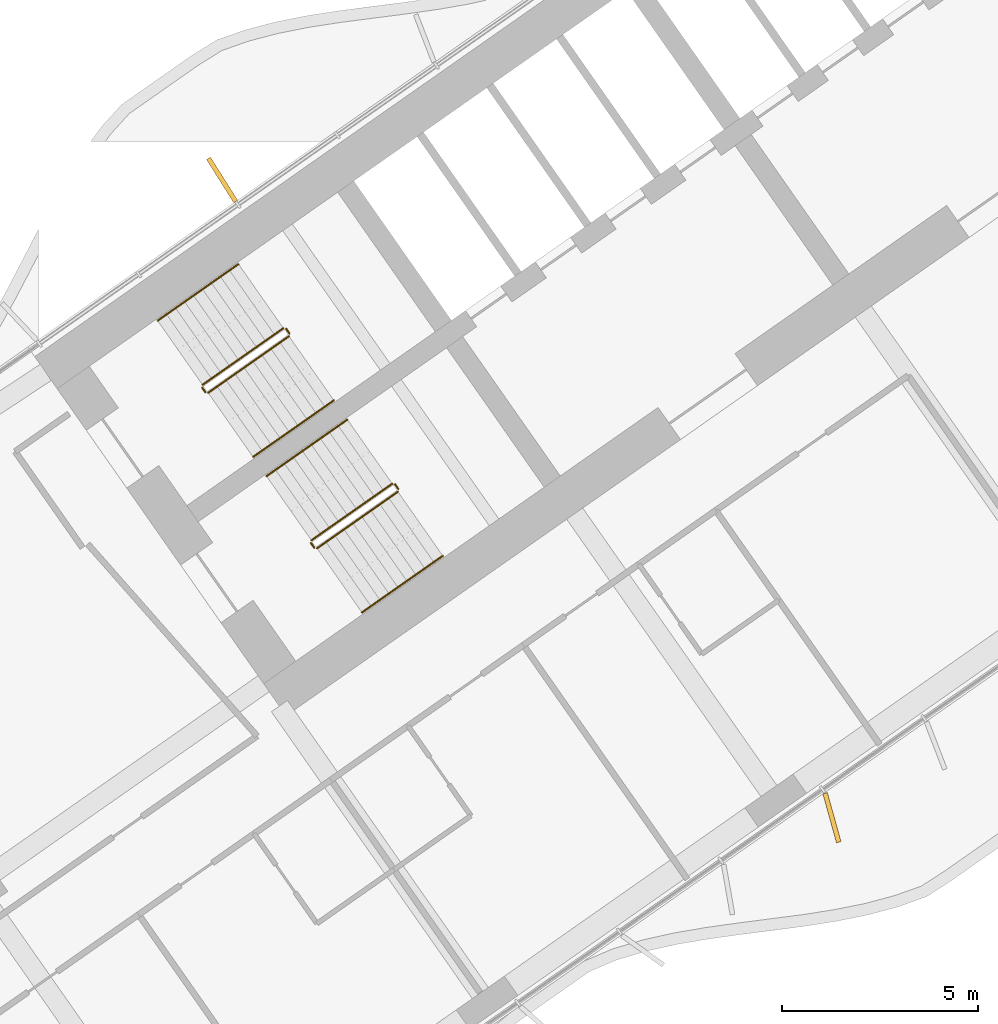
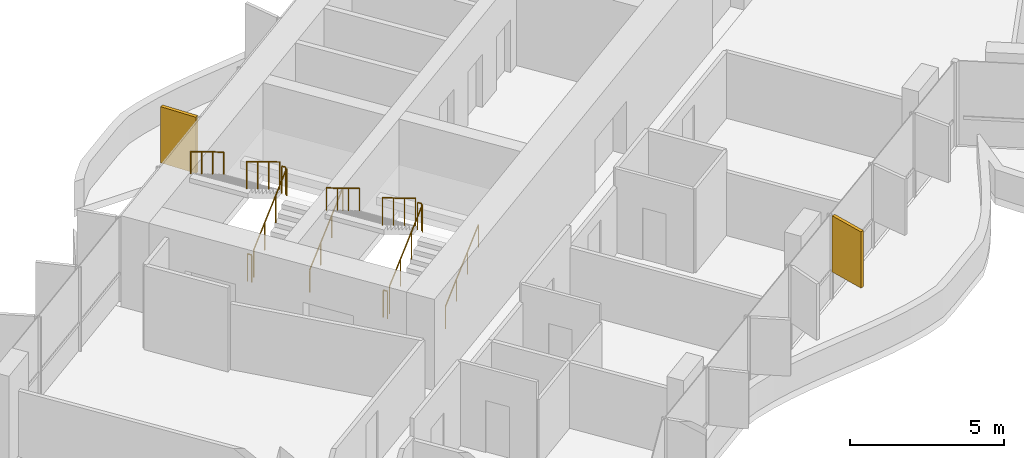
# One storey, part 19 of 23: 12 railings, 2 shading devices.
"""IFC4 building model written with IfcOpenShell, lengths in metres."""

from ifc_helpers import new_model, si_unit, direction, frame, origin, origin_2d, place, context, subcontext, project, spatial, rectangle, circle, extrude, material, layer, layer_set, type_object, element, save


model = new_model("IFC4")

# Units and contexts
model_context = context("Model", 3, precision=1e-05, world=origin(), true_north=direction((0.0, 1.0)))
body_context = subcontext(model_context, "Body", "Model", "MODEL_VIEW")
ifc_project = project(units=[si_unit("LENGTHUNIT", "METRE"), si_unit("AREAUNIT", "SQUARE_METRE"), si_unit("VOLUMEUNIT", "CUBIC_METRE"), si_unit("PLANEANGLEUNIT", "RADIAN"), si_unit("MASSUNIT", "GRAM", prefix="KILO")], contexts=[model_context])

# Site, building, storey
site_placement = place(None, origin())
site = spatial("IfcSite", under=ifc_project, at=site_placement, CompositionType="ELEMENT")
building_placement = place(site_placement, origin())
building = spatial("IfcBuilding", under=site, at=building_placement, Name="Tel Ilan Convention Tower", CompositionType="ELEMENT")
storey_placement = place(building_placement, frame((0.0, 0.0, 112.10009765625)))
storey = spatial("IfcBuildingStorey", under=building, at=storey_placement, Name="L24", CompositionType="ELEMENT", Elevation=112.10009765625)

# Shading devices
ifc_material_1 = material(Name="Aluminium, bronze anodised", Category="aluminium")
ifc_layer = layer(ifc_material_1, 0.1201171875)
ifc_layer_set = layer_set([ifc_layer], Name="FIN BRONZE 1300x120")
shading_device_type = type_object("IfcShadingDeviceType", Name="FIN BRONZE 1300x120", PredefinedType="USERDEFINED", material=ifc_layer_set)
for number, where, z_axis, x_axis, name in (
    (1, (-23.18017578125, -2.617431640625, 1.10009765625), (0.0, 0.0, 1.0), (-0.533204432798, 0.845986425922, 0.0), "FIN"),
    (2, (-7.599609375, -18.91162109375, 1.10009765625), (0.0, 0.0, 1.0), (0.268172612768, -0.963370878614, 0.0), "FIN"),
):
    element("IfcShadingDevice", number, at=place(storey_placement, frame(where, z_axis=z_axis, x_axis=x_axis)), inside=storey, type_object=shading_device_type, Name=name, ObjectType="FIN", PredefinedType="USERDEFINED", context=body_context, shape_type="SweptSolid", body=[
        extrude(rectangle(XDim=1.300048828125, YDim=0.1201171875, at=origin_2d()), origin(), (0.0, 0.0, 1.0), 2.219970703125),
    ])

# Railings
ifc_material_2 = material(Name="Stainless Steel Grade 316", Category="steel")
railing_type_1 = type_object("IfcRailingType", Name="Stainless Steel Stair Guard 1100 mm", PredefinedType="GUARDRAIL", material=ifc_material_2)
railing_1_placement = place(storey_placement, frame((-23.535400390625, -8.056396484375, 0.179931640625)))
element("IfcRailing", 3, at=railing_1_placement, inside=storey, type_object=railing_type_1, Name="L24 S1 stair guard 1", PredefinedType="GUARDRAIL", context=body_context, shape_type="SweptSolid", body=[
    extrude(circle(Radius=0.02392578125, at=origin_2d()), frame((0.0, 0.0, 1.076171875), z_axis=(0.689043377453, 0.48253410265, 0.540721798865), x_axis=(-0.573624882958, 0.819118119475, 0.0)), (0.0, 0.0, 1.0), 2.995849609375),
    extrude(circle(Radius=0.02099609375, at=origin_2d()), origin(), (0.0, 0.0, 1.0), 1.052001953125),
    extrude(circle(Radius=0.02099609375, at=origin_2d()), frame((0.68798828125, 0.48193359375, 0.5400390625)), (0.0, 0.0, 1.0), 1.052001953125),
    extrude(circle(Radius=0.02099609375, at=origin_2d()), frame((1.376220703125, 0.963623046875, 1.079833984375)), (0.0, 0.0, 1.0), 1.052001953125),
    extrude(circle(Radius=0.02099609375, at=origin_2d()), frame((2.064208984375, 1.445556640625, 1.619873046875)), (0.0, 0.0, 1.0), 1.052001953125),
])
railing_2_placement = place(storey_placement, frame((-21.458984375, -6.541259765625, 1.7998046875)))
element("IfcRailing", 4, at=railing_2_placement, inside=storey, type_object=railing_type_1, Name="L24 S1 stair guard 2", PredefinedType="GUARDRAIL", context=body_context, shape_type="SweptSolid", body=[
    extrude(circle(Radius=0.02392578125, at=origin_2d()), frame((0.0, 0.0, 1.076171875), z_axis=(-0.573353020881, 0.819308436089, 0.0), x_axis=(-0.819308436089, -0.573353020881, 0.0)), (0.0, 0.0, 1.0), 0.14990234375),
    extrude(circle(Radius=0.02099609375, at=origin_2d()), origin(), (0.0, 0.0, 1.0), 1.052001953125),
    extrude(circle(Radius=0.02099609375, at=origin_2d()), frame((-0.0859375, 0.122802734375, 0.0)), (0.0, 0.0, 1.0), 1.052001953125),
])
railing_3_placement = place(storey_placement, frame((-21.614501953125, -6.406005859375, 1.97998046875)))
element("IfcRailing", 5, at=railing_3_placement, inside=storey, type_object=railing_type_1, Name="L24 S1 stair guard 3", PredefinedType="GUARDRAIL", context=body_context, shape_type="SweptSolid", body=[
    extrude(circle(Radius=0.02392578125, at=origin_2d()), frame((0.0, 0.0, 1.076171875), z_axis=(-0.689043377453, -0.48253410265, 0.540721798865), x_axis=(0.573624882958, -0.819118119475, 0.0)), (0.0, 0.0, 1.0), 2.995849609375),
    extrude(circle(Radius=0.02099609375, at=origin_2d()), origin(), (0.0, 0.0, 1.0), 1.052001953125),
    extrude(circle(Radius=0.02099609375, at=origin_2d()), frame((-0.68798828125, -0.48193359375, 0.5400390625)), (0.0, 0.0, 1.0), 1.052001953125),
    extrude(circle(Radius=0.02099609375, at=origin_2d()), frame((-1.376220703125, -0.963623046875, 1.079833984375)), (0.0, 0.0, 1.0), 1.052001953125),
    extrude(circle(Radius=0.02099609375, at=origin_2d()), frame((-2.064208984375, -1.445556640625, 1.619873046875)), (0.0, 0.0, 1.0), 1.052001953125),
])
railing_4_placement = place(storey_placement, frame((-23.60498046875, -8.0439453125, 0.0)))
element("IfcRailing", 6, at=railing_4_placement, inside=storey, type_object=railing_type_1, Name="L24 S1 stair guard 4", PredefinedType="GUARDRAIL", context=body_context, shape_type="SweptSolid", body=[
    extrude(circle(Radius=0.02392578125, at=origin_2d()), frame((0.0, 0.0, 1.076171875), z_axis=(-0.574444878118, 0.818543268254, 0.0), x_axis=(-0.818543268254, -0.574444878118, 0.0)), (0.0, 0.0, 1.0), 0.150146484375),
    extrude(circle(Radius=0.02099609375, at=origin_2d()), origin(), (0.0, 0.0, 1.0), 1.052001953125),
    extrude(circle(Radius=0.02099609375, at=origin_2d()), frame((-0.086181640625, 0.122802734375, 0.0)), (0.0, 0.0, 1.0), 1.052001953125),
])
railing_5_placement = place(storey_placement, frame((-20.753662109375, -12.029296875, 0.179931640625)))
element("IfcRailing", 7, at=railing_5_placement, inside=storey, type_object=railing_type_1, Name="L24 S2 stair guard 1", PredefinedType="GUARDRAIL", context=body_context, shape_type="SweptSolid", body=[
    extrude(circle(Radius=0.02392578125, at=origin_2d()), frame((0.0, 0.0, 1.076171875), z_axis=(0.689086176785, 0.482507007183, 0.540691436018), x_axis=(-0.573579365141, 0.81914999352, 0.0)), (0.0, 0.0, 1.0), 2.995849609375),
    extrude(circle(Radius=0.02099609375, at=origin_2d()), origin(), (0.0, 0.0, 1.0), 1.052001953125),
    extrude(circle(Radius=0.02099609375, at=origin_2d()), frame((0.688232421875, 0.48193359375, 0.5400390625)), (0.0, 0.0, 1.0), 1.052001953125),
    extrude(circle(Radius=0.02099609375, at=origin_2d()), frame((1.376220703125, 0.963623046875, 1.079833984375)), (0.0, 0.0, 1.0), 1.052001953125),
    extrude(circle(Radius=0.02099609375, at=origin_2d()), frame((2.064453125, 1.445556640625, 1.619873046875)), (0.0, 0.0, 1.0), 1.052001953125),
])
railing_6_placement = place(storey_placement, frame((-18.677001953125, -10.51416015625, 1.7998046875)))
element("IfcRailing", 8, at=railing_6_placement, inside=storey, type_object=railing_type_1, Name="L24 S2 stair guard 2", PredefinedType="GUARDRAIL", context=body_context, shape_type="SweptSolid", body=[
    extrude(circle(Radius=0.02392578125, at=origin_2d()), frame((0.0, 0.0, 1.076171875), z_axis=(-0.573353020881, 0.819308436089, 0.0), x_axis=(-0.819308436089, -0.573353020881, 0.0)), (0.0, 0.0, 1.0), 0.14990234375),
    extrude(circle(Radius=0.02099609375, at=origin_2d()), origin(), (0.0, 0.0, 1.0), 1.052001953125),
    extrude(circle(Radius=0.02099609375, at=origin_2d()), frame((-0.0859375, 0.122802734375, 0.0)), (0.0, 0.0, 1.0), 1.052001953125),
])
railing_7_placement = place(storey_placement, frame((-18.832763671875, -10.37890625, 1.97998046875)))
element("IfcRailing", 9, at=railing_7_placement, inside=storey, type_object=railing_type_1, Name="L24 S2 stair guard 3", PredefinedType="GUARDRAIL", context=body_context, shape_type="SweptSolid", body=[
    extrude(circle(Radius=0.02392578125, at=origin_2d()), frame((0.0, 0.0, 1.076171875), z_axis=(-0.689043377453, -0.48253410265, 0.540721798865), x_axis=(0.573624882958, -0.819118119475, 0.0)), (0.0, 0.0, 1.0), 2.995849609375),
    extrude(circle(Radius=0.02099609375, at=origin_2d()), origin(), (0.0, 0.0, 1.0), 1.052001953125),
    extrude(circle(Radius=0.02099609375, at=origin_2d()), frame((-0.68798828125, -0.48193359375, 0.5400390625)), (0.0, 0.0, 1.0), 1.052001953125),
    extrude(circle(Radius=0.02099609375, at=origin_2d()), frame((-1.376220703125, -0.963623046875, 1.079833984375)), (0.0, 0.0, 1.0), 1.052001953125),
    extrude(circle(Radius=0.02099609375, at=origin_2d()), frame((-2.064208984375, -1.445556640625, 1.619873046875)), (0.0, 0.0, 1.0), 1.052001953125),
])
railing_8_placement = place(storey_placement, frame((-20.8232421875, -12.016845703125, 0.0)))
element("IfcRailing", 10, at=railing_8_placement, inside=storey, type_object=railing_type_1, Name="L24 S2 stair guard 4", PredefinedType="GUARDRAIL", context=body_context, shape_type="SweptSolid", body=[
    extrude(circle(Radius=0.02392578125, at=origin_2d()), frame((0.0, 0.0, 1.076171875), z_axis=(-0.573353020881, 0.819308436089, 0.0), x_axis=(-0.819308436089, -0.573353020881, 0.0)), (0.0, 0.0, 1.0), 0.14990234375),
    extrude(circle(Radius=0.02099609375, at=origin_2d()), origin(), (0.0, 0.0, 1.0), 1.052001953125),
    extrude(circle(Radius=0.02099609375, at=origin_2d()), frame((-0.0859375, 0.122802734375, 0.0)), (0.0, 0.0, 1.0), 1.052001953125),
])
ifc_material_3 = material(Name="Stainless Steel Grade 316", Category="steel")
railing_type_2 = type_object("IfcRailingType", Name="Stainless Steel Stair Handrail 900 mm", PredefinedType="HANDRAIL", material=ifc_material_3)
railing_9_placement = place(storey_placement, frame((-22.38818359375, -9.694580078125, 0.179931640625)))
element("IfcRailing", 11, at=railing_9_placement, inside=storey, type_object=railing_type_2, Name="L24 S1 stair handrail 1", PredefinedType="HANDRAIL", context=body_context, shape_type="SweptSolid", body=[
    extrude(circle(Radius=0.02392578125, at=origin_2d()), frame((0.0, 0.0, 0.8759765625), z_axis=(0.68907047291, 0.482471578903, 0.540743061828), x_axis=(-0.573559875649, 0.819163639968, 0.0)), (0.0, 0.0, 1.0), 2.99560546875),
    extrude(circle(Radius=0.02099609375, at=origin_2d()), origin(), (0.0, 0.0, 1.0), 0.851806640625),
    extrude(circle(Radius=0.02099609375, at=origin_2d()), frame((0.68798828125, 0.481689453125, 0.5400390625)), (0.0, 0.0, 1.0), 0.851806640625),
    extrude(circle(Radius=0.02099609375, at=origin_2d()), frame((1.376220703125, 0.963623046875, 1.079833984375)), (0.0, 0.0, 1.0), 0.851806640625),
    extrude(circle(Radius=0.02099609375, at=origin_2d()), frame((2.064208984375, 1.4453125, 1.619873046875)), (0.0, 0.0, 1.0), 0.851806640625),
])
railing_10_placement = place(storey_placement, frame((-22.76171875, -4.767822265625, 1.97998046875)))
element("IfcRailing", 12, at=railing_10_placement, inside=storey, type_object=railing_type_2, Name="L24 S1 stair handrail 2", PredefinedType="HANDRAIL", context=body_context, shape_type="SweptSolid", body=[
    extrude(circle(Radius=0.02392578125, at=origin_2d()), frame((0.0, 0.0, 0.8759765625), z_axis=(-0.68907047291, -0.482471578903, 0.540743061828), x_axis=(0.573559875649, -0.819163639968, 0.0)), (0.0, 0.0, 1.0), 2.99560546875),
    extrude(circle(Radius=0.02099609375, at=origin_2d()), origin(), (0.0, 0.0, 1.0), 0.851806640625),
    extrude(circle(Radius=0.02099609375, at=origin_2d()), frame((-0.68798828125, -0.481689453125, 0.5400390625)), (0.0, 0.0, 1.0), 0.851806640625),
    extrude(circle(Radius=0.02099609375, at=origin_2d()), frame((-1.376220703125, -0.963623046875, 1.079833984375)), (0.0, 0.0, 1.0), 0.851806640625),
    extrude(circle(Radius=0.02099609375, at=origin_2d()), frame((-2.064208984375, -1.4453125, 1.619873046875)), (0.0, 0.0, 1.0), 0.851806640625),
])
railing_11_placement = place(storey_placement, frame((-19.6064453125, -13.66748046875, 0.179931640625)))
element("IfcRailing", 13, at=railing_11_placement, inside=storey, type_object=railing_type_2, Name="L24 S2 stair handrail 1", PredefinedType="HANDRAIL", context=body_context, shape_type="SweptSolid", body=[
    extrude(circle(Radius=0.02392578125, at=origin_2d()), frame((0.0, 0.0, 0.8759765625), z_axis=(0.68907047291, 0.482471578903, 0.540743061828), x_axis=(-0.573559875649, 0.819163639968, 0.0)), (0.0, 0.0, 1.0), 2.99560546875),
    extrude(circle(Radius=0.02099609375, at=origin_2d()), origin(), (0.0, 0.0, 1.0), 0.851806640625),
    extrude(circle(Radius=0.02099609375, at=origin_2d()), frame((0.68798828125, 0.481689453125, 0.5400390625)), (0.0, 0.0, 1.0), 0.851806640625),
    extrude(circle(Radius=0.02099609375, at=origin_2d()), frame((1.376220703125, 0.963623046875, 1.079833984375)), (0.0, 0.0, 1.0), 0.851806640625),
    extrude(circle(Radius=0.02099609375, at=origin_2d()), frame((2.064208984375, 1.4453125, 1.619873046875)), (0.0, 0.0, 1.0), 0.851806640625),
])
railing_12_placement = place(storey_placement, frame((-19.979736328125, -8.74072265625, 1.97998046875)))
element("IfcRailing", 14, at=railing_12_placement, inside=storey, type_object=railing_type_2, Name="L24 S2 stair handrail 2", PredefinedType="HANDRAIL", context=body_context, shape_type="SweptSolid", body=[
    extrude(circle(Radius=0.02392578125, at=origin_2d()), frame((0.0, 0.0, 0.8759765625), z_axis=(-0.689113270881, -0.482444484817, 0.540712695399), x_axis=(0.573514357932, -0.81919550856, 0.0)), (0.0, 0.0, 1.0), 2.995849609375),
    extrude(circle(Radius=0.02099609375, at=origin_2d()), origin(), (0.0, 0.0, 1.0), 0.851806640625),
    extrude(circle(Radius=0.02099609375, at=origin_2d()), frame((-0.688232421875, -0.481689453125, 0.5400390625)), (0.0, 0.0, 1.0), 0.851806640625),
    extrude(circle(Radius=0.02099609375, at=origin_2d()), frame((-1.376220703125, -0.963623046875, 1.079833984375)), (0.0, 0.0, 1.0), 0.851806640625),
    extrude(circle(Radius=0.02099609375, at=origin_2d()), frame((-2.064453125, -1.4453125, 1.619873046875)), (0.0, 0.0, 1.0), 0.851806640625),
])

save(model, "model.ifc")
